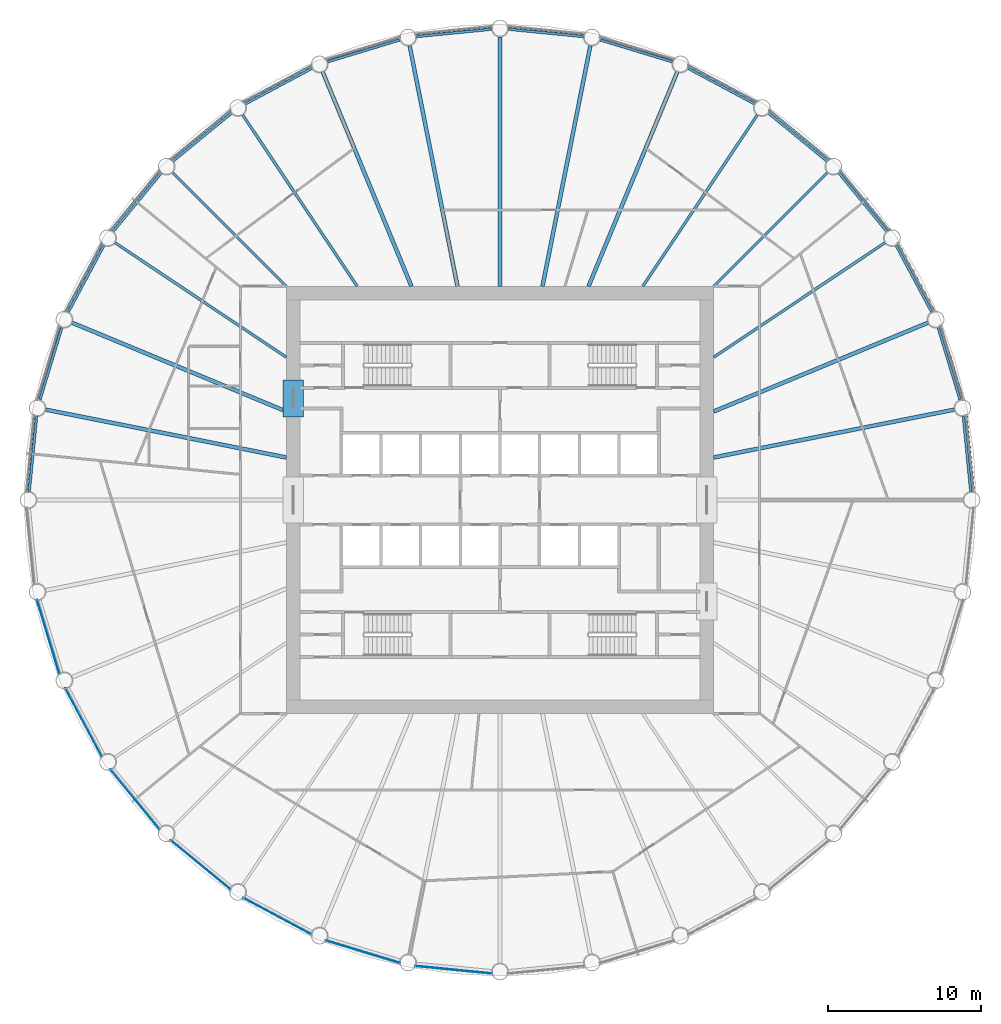
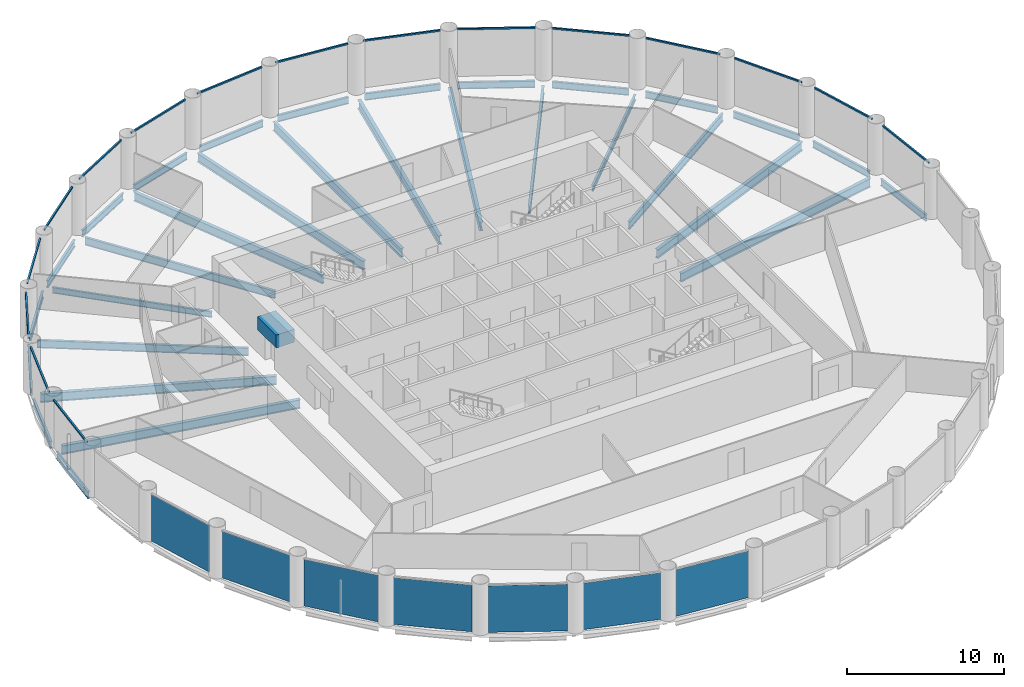
# One storey, part 2 of 9: 32 beams, 16 members, 7 plates, 23 elements without a shape of their own.
"""IFC4 building model written with IfcOpenShell, lengths in metres."""

from ifc_helpers import new_model, si_unit, direction, frame, origin, origin_2d, place, context, subcontext, project, spatial, rectangle, i_section, extrude, material, layer, layer_set, material_profile, profile_set, type_object, element, aggregate, save


model = new_model("IFC4")

# Units and contexts
model_context = context("Model", 3, precision=1e-05, world=origin(), true_north=direction((0.0, 1.0)))
body_context = subcontext(model_context, "Body", "Model", "MODEL_VIEW")
ifc_project = project(units=[si_unit("LENGTHUNIT", "METRE"), si_unit("AREAUNIT", "SQUARE_METRE"), si_unit("VOLUMEUNIT", "CUBIC_METRE"), si_unit("PLANEANGLEUNIT", "RADIAN"), si_unit("MASSUNIT", "GRAM", prefix="KILO")], contexts=[model_context])

# Site, building, storey
site_placement = place(None, origin())
site = spatial("IfcSite", under=ifc_project, at=site_placement, CompositionType="ELEMENT")
building_placement = place(site_placement, origin())
building = spatial("IfcBuilding", under=site, at=building_placement, Name="Corvane Civic Tower", CompositionType="ELEMENT")
storey_placement = place(building_placement, frame((0.0, 0.0, 164.0)))
storey = spatial("IfcBuildingStorey", under=building, at=storey_placement, Name="L38", CompositionType="ELEMENT", Elevation=164.0)

# Beams
ifc_material_1 = material(Name="Concrete C60/75", Category="concrete")
ifc_material_profile_1 = material_profile(ifc_material_1, rectangle(XDim=1.35009765625, YDim=1.0, at=origin_2d()), Name="COUPLING BEAM 1350X1000")
ifc_profile_set_1 = profile_set([ifc_material_profile_1], Name="Concrete C60/75")
beam_type_1 = type_object("IfcBeamType", Name="COUPLING BEAM COUPLING BEAM 1350X1000", PredefinedType="BEAM", material=ifc_profile_set_1)
beam_1_placement = place(storey_placement, frame((-13.550048828125, 5.449951171875, 2.60009765625), z_axis=(0.0, 1.0, 0.0), x_axis=(-1.0, 0.0, 0.0)))
element("IfcBeam", 1, at=beam_1_placement, inside=storey, type_object=beam_type_1, Name="BM-L38-cpl-CW-WN", PredefinedType="BEAM", context=body_context, shape_type="SweptSolid", body=[
    extrude(rectangle(XDim=1.35009765625, YDim=1.0, at=origin_2d()), origin(), (0.0, 0.0, 1.0), 2.400146484375),
])
ifc_material_2 = material(Name="Steel ASTM A992 Gr 50", Category="steel")
ifc_material_profile_2 = material_profile(ifc_material_2, i_section(OverallWidth=0.165771484375, OverallDepth=0.5283203125, WebThickness=0.009765625, FlangeThickness=0.013671875, at=origin_2d()), Name="W21X50")
ifc_profile_set_2 = profile_set([ifc_material_profile_2], Name="Steel ASTM A992 Gr 50")
beam_type_2 = type_object("IfcBeamType", Name="EDGE BEAM W21X50", PredefinedType="BEAM", material=ifc_profile_set_2)
beam_2_placement = place(storey_placement, frame((0.54736328125, 30.845947265625, -0.564208984375), z_axis=(0.995186236294, -0.09800181167, 0.0), x_axis=(0.09800181167, 0.995186236294, 0.0)))
element("IfcBeam", 2, at=beam_2_placement, inside=storey, type_object=beam_type_2, Name="BM-L38-E01", PredefinedType="BEAM", context=body_context, shape_type="SweptSolid", body=[
    extrude(i_section(OverallWidth=0.165771484375, OverallDepth=0.5283203125, WebThickness=0.009765625, FlangeThickness=0.013671875, at=origin_2d()), origin(), (0.0, 0.0, 1.0), 4.95751953125),
])
beam_3_placement = place(storey_placement, frame((6.5546875, 30.146484375, -0.564208984375), z_axis=(0.956944842086, -0.290269821381, 0.0), x_axis=(0.290269821381, 0.956944842086, 0.0)))
element("IfcBeam", 3, at=beam_3_placement, inside=storey, type_object=beam_type_2, Name="BM-L38-E02", PredefinedType="BEAM", context=body_context, shape_type="SweptSolid", body=[
    extrude(i_section(OverallWidth=0.165771484375, OverallDepth=0.5283203125, WebThickness=0.009765625, FlangeThickness=0.013671875, at=origin_2d()), origin(), (0.0, 0.0, 1.0), 4.957275390625),
])
for number, where, z_axis, x_axis, name in (
    (4, (12.31005859375, 28.28857421875, -0.564208984375), (0.881921784846, -0.471395763042, 0.0), (0.471395763042, 0.881921784846, 0.0), "BM-L38-E03"),
    (5, (17.59228515625, 25.343505859375, -0.564208984375), (0.77301516208, -0.634387546532, 0.0), (0.634387546532, 0.77301516208, 0.0), "BM-L38-E04"),
    (6, (22.198486328125, 21.424560546875, -0.564208984375), (0.634387546532, -0.77301516208, 0.0), (0.77301516208, 0.634387546532, 0.0), "BM-L38-E05"),
    (7, (25.95166015625, 16.68212890625, -0.564208984375), (0.471395763042, -0.881921784846, 0.0), (0.881921784846, 0.471395763042, 0.0), "BM-L38-E06"),
):
    element("IfcBeam", number, at=place(storey_placement, frame(where, z_axis=z_axis, x_axis=x_axis)), inside=storey, type_object=beam_type_2, Name=name, PredefinedType="BEAM", context=body_context, shape_type="SweptSolid", body=[
        extrude(i_section(OverallWidth=0.165771484375, OverallDepth=0.5283203125, WebThickness=0.009765625, FlangeThickness=0.013671875, at=origin_2d()), origin(), (0.0, 0.0, 1.0), 4.95751953125),
    ])
beam_4_placement = place(storey_placement, frame((28.70751953125, 11.298583984375, -0.564208984375), z_axis=(0.290269821381, -0.956944842086, 0.0), x_axis=(0.956944842086, 0.290269821381, 0.0)))
element("IfcBeam", 8, at=beam_4_placement, inside=storey, type_object=beam_type_2, Name="BM-L38-E07", PredefinedType="BEAM", context=body_context, shape_type="SweptSolid", body=[
    extrude(i_section(OverallWidth=0.165771484375, OverallDepth=0.5283203125, WebThickness=0.009765625, FlangeThickness=0.013671875, at=origin_2d()), origin(), (0.0, 0.0, 1.0), 4.957275390625),
])
for number, where, z_axis, x_axis, name in (
    (9, (30.360107421875, 5.48095703125, -0.564208984375), (0.09800181167, -0.995186236294, 0.0), (0.995186236294, 0.09800181167, 0.0), "BM-L38-E08"),
    (10, (-30.845947265625, 0.54736328125, -0.564208984375), (0.09800181167, 0.995186236294, 0.0), (-0.995186236294, 0.09800181167, 0.0), "BM-L38-E25"),
):
    element("IfcBeam", number, at=place(storey_placement, frame(where, z_axis=z_axis, x_axis=x_axis)), inside=storey, type_object=beam_type_2, Name=name, PredefinedType="BEAM", context=body_context, shape_type="SweptSolid", body=[
        extrude(i_section(OverallWidth=0.165771484375, OverallDepth=0.5283203125, WebThickness=0.009765625, FlangeThickness=0.013671875, at=origin_2d()), origin(), (0.0, 0.0, 1.0), 4.95751953125),
    ])
beam_5_placement = place(storey_placement, frame((-30.146484375, 6.5546875, -0.564208984375), z_axis=(0.290269821381, 0.956944842086, 0.0), x_axis=(-0.956944842086, 0.290269821381, 0.0)))
element("IfcBeam", 11, at=beam_5_placement, inside=storey, type_object=beam_type_2, Name="BM-L38-E26", PredefinedType="BEAM", context=body_context, shape_type="SweptSolid", body=[
    extrude(i_section(OverallWidth=0.165771484375, OverallDepth=0.5283203125, WebThickness=0.009765625, FlangeThickness=0.013671875, at=origin_2d()), origin(), (0.0, 0.0, 1.0), 4.957275390625),
])
for number, where, z_axis, x_axis, name in (
    (12, (-28.28857421875, 12.31005859375, -0.564208984375), (0.471395763042, 0.881921784846, 0.0), (-0.881921784846, 0.471395763042, 0.0), "BM-L38-E27"),
    (13, (-25.343505859375, 17.59228515625, -0.564208984375), (0.634387546532, 0.77301516208, 0.0), (-0.77301516208, 0.634387546532, 0.0), "BM-L38-E28"),
    (14, (-21.424560546875, 22.198486328125, -0.564208984375), (0.77301516208, 0.634387546532, 0.0), (-0.634387546532, 0.77301516208, 0.0), "BM-L38-E29"),
    (15, (-16.68212890625, 25.95166015625, -0.564208984375), (0.881921784846, 0.471395763042, 0.0), (-0.471395763042, 0.881921784846, 0.0), "BM-L38-E30"),
):
    element("IfcBeam", number, at=place(storey_placement, frame(where, z_axis=z_axis, x_axis=x_axis)), inside=storey, type_object=beam_type_2, Name=name, PredefinedType="BEAM", context=body_context, shape_type="SweptSolid", body=[
        extrude(i_section(OverallWidth=0.165771484375, OverallDepth=0.5283203125, WebThickness=0.009765625, FlangeThickness=0.013671875, at=origin_2d()), origin(), (0.0, 0.0, 1.0), 4.95751953125),
    ])
beam_6_placement = place(storey_placement, frame((-11.298583984375, 28.70751953125, -0.564208984375), z_axis=(0.956944842086, 0.290269821381, 0.0), x_axis=(-0.290269821381, 0.956944842086, 0.0)))
element("IfcBeam", 16, at=beam_6_placement, inside=storey, type_object=beam_type_2, Name="BM-L38-E31", PredefinedType="BEAM", context=body_context, shape_type="SweptSolid", body=[
    extrude(i_section(OverallWidth=0.165771484375, OverallDepth=0.5283203125, WebThickness=0.009765625, FlangeThickness=0.013671875, at=origin_2d()), origin(), (0.0, 0.0, 1.0), 4.957275390625),
])
beam_7_placement = place(storey_placement, frame((-5.48095703125, 30.360107421875, -0.564208984375), z_axis=(0.995186236294, 0.09800181167, 0.0), x_axis=(-0.09800181167, 0.995186236294, 0.0)))
element("IfcBeam", 17, at=beam_7_placement, inside=storey, type_object=beam_type_2, Name="BM-L38-E32", PredefinedType="BEAM", context=body_context, shape_type="SweptSolid", body=[
    extrude(i_section(OverallWidth=0.165771484375, OverallDepth=0.5283203125, WebThickness=0.009765625, FlangeThickness=0.013671875, at=origin_2d()), origin(), (0.0, 0.0, 1.0), 4.95751953125),
])
ifc_material_3 = material(Name="Steel ASTM A992 Gr 50", Category="steel")
ifc_material_profile_3 = material_profile(ifc_material_3, i_section(OverallWidth=0.15283203125, OverallDepth=0.45458984375, WebThickness=0.008056640625, FlangeThickness=0.013427734375, at=origin_2d()), Name="W18X40")
ifc_profile_set_3 = profile_set([ifc_material_profile_3], Name="Steel ASTM A992 Gr 50")
beam_type_3 = type_object("IfcBeamType", Name="FLOOR GIRDER W18X40", PredefinedType="BEAM", material=ifc_profile_set_3)
for number, where, z_axis, x_axis, name in (
    (18, (14.0, 14.0, -0.52734375), (0.707106781187, 0.707106781187, 0.0), (-0.707106781187, 0.707106781187, 0.0), "BM-L38-G05"),
    (19, (-14.0, 14.0, -0.52734375), (-0.707106781187, 0.707106781187, 0.0), (-0.707106781187, -0.707106781187, 0.0), "BM-L38-G29"),
):
    element("IfcBeam", number, at=place(storey_placement, frame(where, z_axis=z_axis, x_axis=x_axis)), inside=storey, type_object=beam_type_3, Name=name, PredefinedType="BEAM", context=body_context, shape_type="SweptSolid", body=[
        extrude(i_section(OverallWidth=0.15283203125, OverallDepth=0.45458984375, WebThickness=0.008056640625, FlangeThickness=0.013427734375, at=origin_2d()), origin(), (0.0, 0.0, 1.0), 10.551025390625),
    ])
ifc_material_4 = material(Name="Steel ASTM A992 Gr 50", Category="steel")
ifc_material_profile_4 = material_profile(ifc_material_4, i_section(OverallWidth=0.177978515625, OverallDepth=0.599365234375, WebThickness=0.010009765625, FlangeThickness=0.012939453125, at=origin_2d()), Name="W24X55")
ifc_profile_set_4 = profile_set([ifc_material_profile_4], Name="Steel ASTM A992 Gr 50")
beam_type_4 = type_object("IfcBeamType", Name="FLOOR GIRDER W24X55", PredefinedType="BEAM", material=ifc_profile_set_4)
for number, where, z_axis, x_axis, name in (
    (20, (9.3544921875, 14.0, -0.599609375), (0.555571323015, 0.83146888399, 0.0), (-0.83146888399, 0.555571323015, 0.0), "BM-L38-G04"),
    (21, (14.0, 9.3544921875, -0.599609375), (0.83146888399, 0.555571323015, 0.0), (-0.555571323015, 0.83146888399, 0.0), "BM-L38-G06"),
    (22, (-14.0, 9.3544921875, -0.599609375), (-0.83146888399, 0.555571323015, 0.0), (-0.555571323015, -0.83146888399, 0.0), "BM-L38-G28"),
    (23, (-9.3544921875, 14.0, -0.599609375), (-0.555571323015, 0.83146888399, 0.0), (-0.83146888399, -0.555571323015, 0.0), "BM-L38-G30"),
):
    element("IfcBeam", number, at=place(storey_placement, frame(where, z_axis=z_axis, x_axis=x_axis)), inside=storey, type_object=beam_type_4, Name=name, PredefinedType="BEAM", context=body_context, shape_type="SweptSolid", body=[
        extrude(i_section(OverallWidth=0.177978515625, OverallDepth=0.599365234375, WebThickness=0.010009765625, FlangeThickness=0.012939453125, at=origin_2d()), origin(), (0.0, 0.0, 1.0), 13.512451171875),
    ])
ifc_material_5 = material(Name="Steel ASTM A992 Gr 50", Category="steel")
ifc_material_profile_5 = material_profile(ifc_material_5, i_section(OverallWidth=0.25390625, OverallDepth=0.67822265625, WebThickness=0.01171875, FlangeThickness=0.016357421875, at=origin_2d()), Name="W27X84")
ifc_profile_set_5 = profile_set([ifc_material_profile_5], Name="Steel ASTM A992 Gr 50")
beam_type_5 = type_object("IfcBeamType", Name="FLOOR GIRDER W27X84", PredefinedType="BEAM", material=ifc_profile_set_5)
beam_8_placement = place(storey_placement, frame((0.0, 14.0, -0.63916015625), z_axis=(0.0, 1.0, 0.0), x_axis=(-1.0, 0.0, 0.0)))
element("IfcBeam", 24, at=beam_8_placement, inside=storey, type_object=beam_type_5, Name="BM-L38-G01", PredefinedType="BEAM", context=body_context, shape_type="SweptSolid", body=[
    extrude(i_section(OverallWidth=0.25390625, OverallDepth=0.67822265625, WebThickness=0.01171875, FlangeThickness=0.016357421875, at=origin_2d()), origin(), (0.0, 0.0, 1.0), 16.35009765625),
])
beam_9_placement = place(storey_placement, frame((2.78466796875, 14.0, -0.63916015625), z_axis=(0.195090912248, 0.980785162999, 0.0), x_axis=(-0.980785162999, 0.195090912248, 0.0)))
element("IfcBeam", 25, at=beam_9_placement, inside=storey, type_object=beam_type_5, Name="BM-L38-G02", PredefinedType="BEAM", context=body_context, shape_type="SweptSolid", body=[
    extrude(i_section(OverallWidth=0.25390625, OverallDepth=0.67822265625, WebThickness=0.01171875, FlangeThickness=0.016357421875, at=origin_2d()), origin(), (0.0, 0.0, 1.0), 16.07568359375),
])
for number, where, z_axis, x_axis, name in (
    (26, (5.799072265625, 14.0, -0.63916015625), (0.38268097323, 0.923880551114, 0.0), (-0.923880551114, 0.38268097323, 0.0), "BM-L38-G03"),
    (27, (14.0, 5.799072265625, -0.63916015625), (0.923880551114, 0.38268097323, 0.0), (-0.38268097323, 0.923880551114, 0.0), "BM-L38-G07"),
):
    element("IfcBeam", number, at=place(storey_placement, frame(where, z_axis=z_axis, x_axis=x_axis)), inside=storey, type_object=beam_type_5, Name=name, PredefinedType="BEAM", context=body_context, shape_type="SweptSolid", body=[
        extrude(i_section(OverallWidth=0.25390625, OverallDepth=0.67822265625, WebThickness=0.01171875, FlangeThickness=0.016357421875, at=origin_2d()), origin(), (0.0, 0.0, 1.0), 15.196533203125),
    ])
for number, where, z_axis, x_axis, name in (
    (28, (14.0, 2.78466796875, -0.63916015625), (0.980785162999, 0.195090912248, 0.0), (-0.195090912248, 0.980785162999, 0.0), "BM-L38-G08"),
    (29, (-14.0, 2.78466796875, -0.63916015625), (-0.980785162999, 0.195090912248, 0.0), (-0.195090912248, -0.980785162999, 0.0), "BM-L38-G26"),
):
    element("IfcBeam", number, at=place(storey_placement, frame(where, z_axis=z_axis, x_axis=x_axis)), inside=storey, type_object=beam_type_5, Name=name, PredefinedType="BEAM", context=body_context, shape_type="SweptSolid", body=[
        extrude(i_section(OverallWidth=0.25390625, OverallDepth=0.67822265625, WebThickness=0.01171875, FlangeThickness=0.016357421875, at=origin_2d()), origin(), (0.0, 0.0, 1.0), 16.07568359375),
    ])
for number, where, z_axis, x_axis, name in (
    (30, (-14.0, 5.799072265625, -0.63916015625), (-0.923880551114, 0.38268097323, 0.0), (-0.38268097323, -0.923880551114, 0.0), "BM-L38-G27"),
    (31, (-5.799072265625, 14.0, -0.63916015625), (-0.38268097323, 0.923880551114, 0.0), (-0.923880551114, -0.38268097323, 0.0), "BM-L38-G31"),
):
    element("IfcBeam", number, at=place(storey_placement, frame(where, z_axis=z_axis, x_axis=x_axis)), inside=storey, type_object=beam_type_5, Name=name, PredefinedType="BEAM", context=body_context, shape_type="SweptSolid", body=[
        extrude(i_section(OverallWidth=0.25390625, OverallDepth=0.67822265625, WebThickness=0.01171875, FlangeThickness=0.016357421875, at=origin_2d()), origin(), (0.0, 0.0, 1.0), 15.196533203125),
    ])
beam_10_placement = place(storey_placement, frame((-2.78466796875, 14.0, -0.63916015625), z_axis=(-0.195090912248, 0.980785162999, 0.0), x_axis=(-0.980785162999, -0.195090912248, 0.0)))
element("IfcBeam", 32, at=beam_10_placement, inside=storey, type_object=beam_type_5, Name="BM-L38-G32", PredefinedType="BEAM", context=body_context, shape_type="SweptSolid", body=[
    extrude(i_section(OverallWidth=0.25390625, OverallDepth=0.67822265625, WebThickness=0.01171875, FlangeThickness=0.016357421875, at=origin_2d()), origin(), (0.0, 0.0, 1.0), 16.07568359375),
])

# Curtain wall, member
ifc_material_6 = material(Name="Anodised aluminium bronze", Category="aluminium")
curtain_wall_type = type_object("IfcCurtainWallType", Name="TOWER CW-T2 STICK CURTAIN WALL", PredefinedType="NOTDEFINED", material=ifc_material_6)
curtain_wall_1_placement = place(storey_placement, origin())
curtain_wall_1 = element("IfcCurtainWall", 33, at=curtain_wall_1_placement, inside=storey, type_object=curtain_wall_type, Name="Curtain wall CW-T2 L38 bay 01", PredefinedType="NOTDEFINED")
ifc_material_7 = material(Name="Anodised aluminium bronze", Category="aluminium")
ifc_material_profile_6 = material_profile(ifc_material_7, rectangle(XDim=0.1201171875, YDim=0.1201171875, at=origin_2d()), Name="TOWER CW-T2 TRANSOM 120x120")
ifc_profile_set_6 = profile_set([ifc_material_profile_6], Name="Anodised aluminium bronze")
member_type = type_object("IfcMemberType", Name="TOWER CW-T2 TRANSOM 120x120", PredefinedType="USERDEFINED", material=ifc_profile_set_6)
member_1_placement = place(storey_placement, frame((0.505126953125, 31.0302734375, 3.68994140625), z_axis=(0.995187423416, -0.097989755963, 0.0), x_axis=(0.097989755963, 0.995187423416, 0.0)))
member_1 = element("IfcMember", 34, at=member_1_placement, type_object=member_type, Name="Transom CW-T2 L38 01.1", ObjectType="TRANSOM", PredefinedType="USERDEFINED", context=body_context, shape_type="SweptSolid", body=[
    extrude(rectangle(XDim=0.1201171875, YDim=0.1201171875, at=origin_2d()), origin(), (0.0, 0.0, 1.0), 5.07763671875),
])
aggregate(curtain_wall_1, [member_1])

curtain_wall_2_placement = place(storey_placement, origin())
curtain_wall_2 = element("IfcCurtainWall", 35, at=curtain_wall_2_placement, inside=storey, type_object=curtain_wall_type, Name="Curtain wall CW-T2 L38 bay 02", PredefinedType="NOTDEFINED")
member_2_placement = place(storey_placement, frame((6.54931640625, 30.33544921875, 3.68994140625), z_axis=(0.956939031389, -0.290288977061, 0.0), x_axis=(0.290288977061, 0.956939031389, 0.0)))
member_2 = element("IfcMember", 36, at=member_2_placement, type_object=member_type, Name="Transom CW-T2 L38 02.1", ObjectType="TRANSOM", PredefinedType="USERDEFINED", context=body_context, shape_type="SweptSolid", body=[
    extrude(rectangle(XDim=0.1201171875, YDim=0.1201171875, at=origin_2d()), origin(), (0.0, 0.0, 1.0), 5.077392578125),
])
aggregate(curtain_wall_2, [member_2])

curtain_wall_3_placement = place(storey_placement, origin())
curtain_wall_3 = element("IfcCurtainWall", 37, at=curtain_wall_3_placement, inside=storey, type_object=curtain_wall_type, Name="Curtain wall CW-T2 L38 bay 03", PredefinedType="NOTDEFINED")
member_3_placement = place(storey_placement, frame((12.341552734375, 28.474853515625, 3.68994140625), z_axis=(0.881921329426, -0.471396615074, 0.0), x_axis=(0.471396615074, 0.881921329426, 0.0)))
member_3 = element("IfcMember", 38, at=member_3_placement, type_object=member_type, Name="Transom CW-T2 L38 03.1", ObjectType="TRANSOM", PredefinedType="USERDEFINED", context=body_context, shape_type="SweptSolid", body=[
    extrude(rectangle(XDim=0.1201171875, YDim=0.1201171875, at=origin_2d()), origin(), (0.0, 0.0, 1.0), 5.07763671875),
])
aggregate(curtain_wall_3, [member_3])

curtain_wall_4_placement = place(storey_placement, origin())
curtain_wall_4 = element("IfcCurtainWall", 39, at=curtain_wall_4_placement, inside=storey, type_object=curtain_wall_type, Name="Curtain wall CW-T2 L38 bay 04", PredefinedType="NOTDEFINED")
member_4_placement = place(storey_placement, frame((17.65966796875, 25.519775390625, 3.68994140625), z_axis=(0.773015929719, -0.634386611146, 0.0), x_axis=(0.634386611146, 0.773015929719, 0.0)))
member_4 = element("IfcMember", 40, at=member_4_placement, type_object=member_type, Name="Transom CW-T2 L38 04.1", ObjectType="TRANSOM", PredefinedType="USERDEFINED", context=body_context, shape_type="SweptSolid", body=[
    extrude(rectangle(XDim=0.1201171875, YDim=0.1201171875, at=origin_2d()), origin(), (0.0, 0.0, 1.0), 5.0771484375),
])
aggregate(curtain_wall_4, [member_4])

curtain_wall_5_placement = place(storey_placement, origin())
curtain_wall_5 = element("IfcCurtainWall", 41, at=curtain_wall_5_placement, inside=storey, type_object=curtain_wall_type, Name="Curtain wall CW-T2 L38 bay 05", PredefinedType="NOTDEFINED")
member_5_placement = place(storey_placement, frame((22.298828125, 21.58447265625, 3.68994140625), z_axis=(0.634386611146, -0.773015929719, 0.0), x_axis=(0.773015929719, 0.634386611146, 0.0)))
member_5 = element("IfcMember", 42, at=member_5_placement, type_object=member_type, Name="Transom CW-T2 L38 05.1", ObjectType="TRANSOM", PredefinedType="USERDEFINED", context=body_context, shape_type="SweptSolid", body=[
    extrude(rectangle(XDim=0.1201171875, YDim=0.1201171875, at=origin_2d()), origin(), (0.0, 0.0, 1.0), 5.0771484375),
])
aggregate(curtain_wall_5, [member_5])

curtain_wall_6_placement = place(storey_placement, origin())
curtain_wall_6 = element("IfcCurtainWall", 43, at=curtain_wall_6_placement, inside=storey, type_object=curtain_wall_type, Name="Curtain wall CW-T2 L38 bay 06", PredefinedType="NOTDEFINED")
member_6_placement = place(storey_placement, frame((26.081298828125, 16.819580078125, 3.68994140625), z_axis=(0.471396615074, -0.881921329426, 0.0), x_axis=(0.881921329426, 0.471396615074, 0.0)))
member_6 = element("IfcMember", 44, at=member_6_placement, type_object=member_type, Name="Transom CW-T2 L38 06.1", ObjectType="TRANSOM", PredefinedType="USERDEFINED", context=body_context, shape_type="SweptSolid", body=[
    extrude(rectangle(XDim=0.1201171875, YDim=0.1201171875, at=origin_2d()), origin(), (0.0, 0.0, 1.0), 5.07763671875),
])
aggregate(curtain_wall_6, [member_6])

curtain_wall_7_placement = place(storey_placement, origin())
curtain_wall_7 = element("IfcCurtainWall", 45, at=curtain_wall_7_placement, inside=storey, type_object=curtain_wall_type, Name="Curtain wall CW-T2 L38 bay 07", PredefinedType="NOTDEFINED")
member_7_placement = place(storey_placement, frame((28.861572265625, 11.407958984375, 3.68994140625), z_axis=(0.290288977061, -0.956939031389, 0.0), x_axis=(0.956939031389, 0.290288977061, 0.0)))
member_7 = element("IfcMember", 46, at=member_7_placement, type_object=member_type, Name="Transom CW-T2 L38 07.1", ObjectType="TRANSOM", PredefinedType="USERDEFINED", context=body_context, shape_type="SweptSolid", body=[
    extrude(rectangle(XDim=0.1201171875, YDim=0.1201171875, at=origin_2d()), origin(), (0.0, 0.0, 1.0), 5.077392578125),
])
aggregate(curtain_wall_7, [member_7])

curtain_wall_8_placement = place(storey_placement, origin())
curtain_wall_8 = element("IfcCurtainWall", 47, at=curtain_wall_8_placement, inside=storey, type_object=curtain_wall_type, Name="Curtain wall CW-T2 L38 bay 08", PredefinedType="NOTDEFINED")
member_8_placement = place(storey_placement, frame((30.53271484375, 5.558349609375, 3.68994140625), z_axis=(0.097989755963, -0.995187423416, 0.0), x_axis=(0.995187423416, 0.097989755963, 0.0)))
member_8 = element("IfcMember", 48, at=member_8_placement, type_object=member_type, Name="Transom CW-T2 L38 08.1", ObjectType="TRANSOM", PredefinedType="USERDEFINED", context=body_context, shape_type="SweptSolid", body=[
    extrude(rectangle(XDim=0.1201171875, YDim=0.1201171875, at=origin_2d()), origin(), (0.0, 0.0, 1.0), 5.07763671875),
])
aggregate(curtain_wall_8, [member_8])

curtain_wall_9_placement = place(storey_placement, origin())
curtain_wall_9 = element("IfcCurtainWall", 49, at=curtain_wall_9_placement, inside=storey, type_object=curtain_wall_type, Name="Curtain wall CW-T2 L38 bay 25", PredefinedType="NOTDEFINED")
member_9_placement = place(storey_placement, frame((-31.0302734375, 0.505126953125, 3.68994140625), z_axis=(0.097989755963, 0.995187423416, 0.0), x_axis=(-0.995187423416, 0.097989755963, 0.0)))
member_9 = element("IfcMember", 50, at=member_9_placement, type_object=member_type, Name="Transom CW-T2 L38 25.1", ObjectType="TRANSOM", PredefinedType="USERDEFINED", context=body_context, shape_type="SweptSolid", body=[
    extrude(rectangle(XDim=0.1201171875, YDim=0.1201171875, at=origin_2d()), origin(), (0.0, 0.0, 1.0), 5.07763671875),
])
aggregate(curtain_wall_9, [member_9])

curtain_wall_10_placement = place(storey_placement, origin())
curtain_wall_10 = element("IfcCurtainWall", 51, at=curtain_wall_10_placement, inside=storey, type_object=curtain_wall_type, Name="Curtain wall CW-T2 L38 bay 26", PredefinedType="NOTDEFINED")
member_10_placement = place(storey_placement, frame((-30.33544921875, 6.54931640625, 3.68994140625), z_axis=(0.290288977061, 0.956939031389, 0.0), x_axis=(-0.956939031389, 0.290288977061, 0.0)))
member_10 = element("IfcMember", 52, at=member_10_placement, type_object=member_type, Name="Transom CW-T2 L38 26.1", ObjectType="TRANSOM", PredefinedType="USERDEFINED", context=body_context, shape_type="SweptSolid", body=[
    extrude(rectangle(XDim=0.1201171875, YDim=0.1201171875, at=origin_2d()), origin(), (0.0, 0.0, 1.0), 5.077392578125),
])
aggregate(curtain_wall_10, [member_10])

curtain_wall_11_placement = place(storey_placement, origin())
curtain_wall_11 = element("IfcCurtainWall", 53, at=curtain_wall_11_placement, inside=storey, type_object=curtain_wall_type, Name="Curtain wall CW-T2 L38 bay 27", PredefinedType="NOTDEFINED")
member_11_placement = place(storey_placement, frame((-28.474853515625, 12.341552734375, 3.68994140625), z_axis=(0.471396615074, 0.881921329426, 0.0), x_axis=(-0.881921329426, 0.471396615074, 0.0)))
member_11 = element("IfcMember", 54, at=member_11_placement, type_object=member_type, Name="Transom CW-T2 L38 27.1", ObjectType="TRANSOM", PredefinedType="USERDEFINED", context=body_context, shape_type="SweptSolid", body=[
    extrude(rectangle(XDim=0.1201171875, YDim=0.1201171875, at=origin_2d()), origin(), (0.0, 0.0, 1.0), 5.07763671875),
])
aggregate(curtain_wall_11, [member_11])

curtain_wall_12_placement = place(storey_placement, origin())
curtain_wall_12 = element("IfcCurtainWall", 55, at=curtain_wall_12_placement, inside=storey, type_object=curtain_wall_type, Name="Curtain wall CW-T2 L38 bay 28", PredefinedType="NOTDEFINED")
member_12_placement = place(storey_placement, frame((-25.519775390625, 17.65966796875, 3.68994140625), z_axis=(0.634386611146, 0.773015929719, 0.0), x_axis=(-0.773015929719, 0.634386611146, 0.0)))
member_12 = element("IfcMember", 56, at=member_12_placement, type_object=member_type, Name="Transom CW-T2 L38 28.1", ObjectType="TRANSOM", PredefinedType="USERDEFINED", context=body_context, shape_type="SweptSolid", body=[
    extrude(rectangle(XDim=0.1201171875, YDim=0.1201171875, at=origin_2d()), origin(), (0.0, 0.0, 1.0), 5.0771484375),
])
aggregate(curtain_wall_12, [member_12])

curtain_wall_13_placement = place(storey_placement, origin())
curtain_wall_13 = element("IfcCurtainWall", 57, at=curtain_wall_13_placement, inside=storey, type_object=curtain_wall_type, Name="Curtain wall CW-T2 L38 bay 29", PredefinedType="NOTDEFINED")
member_13_placement = place(storey_placement, frame((-21.58447265625, 22.298828125, 3.68994140625), z_axis=(0.773015929719, 0.634386611146, 0.0), x_axis=(-0.634386611146, 0.773015929719, 0.0)))
member_13 = element("IfcMember", 58, at=member_13_placement, type_object=member_type, Name="Transom CW-T2 L38 29.1", ObjectType="TRANSOM", PredefinedType="USERDEFINED", context=body_context, shape_type="SweptSolid", body=[
    extrude(rectangle(XDim=0.1201171875, YDim=0.1201171875, at=origin_2d()), origin(), (0.0, 0.0, 1.0), 5.0771484375),
])
aggregate(curtain_wall_13, [member_13])

curtain_wall_14_placement = place(storey_placement, origin())
curtain_wall_14 = element("IfcCurtainWall", 59, at=curtain_wall_14_placement, inside=storey, type_object=curtain_wall_type, Name="Curtain wall CW-T2 L38 bay 30", PredefinedType="NOTDEFINED")
member_14_placement = place(storey_placement, frame((-16.819580078125, 26.081298828125, 3.68994140625), z_axis=(0.881921329426, 0.471396615074, 0.0), x_axis=(-0.471396615074, 0.881921329426, 0.0)))
member_14 = element("IfcMember", 60, at=member_14_placement, type_object=member_type, Name="Transom CW-T2 L38 30.1", ObjectType="TRANSOM", PredefinedType="USERDEFINED", context=body_context, shape_type="SweptSolid", body=[
    extrude(rectangle(XDim=0.1201171875, YDim=0.1201171875, at=origin_2d()), origin(), (0.0, 0.0, 1.0), 5.07763671875),
])
aggregate(curtain_wall_14, [member_14])

curtain_wall_15_placement = place(storey_placement, origin())
curtain_wall_15 = element("IfcCurtainWall", 61, at=curtain_wall_15_placement, inside=storey, type_object=curtain_wall_type, Name="Curtain wall CW-T2 L38 bay 31", PredefinedType="NOTDEFINED")
member_15_placement = place(storey_placement, frame((-11.407958984375, 28.861572265625, 3.68994140625), z_axis=(0.956939031389, 0.290288977061, 0.0), x_axis=(-0.290288977061, 0.956939031389, 0.0)))
member_15 = element("IfcMember", 62, at=member_15_placement, type_object=member_type, Name="Transom CW-T2 L38 31.1", ObjectType="TRANSOM", PredefinedType="USERDEFINED", context=body_context, shape_type="SweptSolid", body=[
    extrude(rectangle(XDim=0.1201171875, YDim=0.1201171875, at=origin_2d()), origin(), (0.0, 0.0, 1.0), 5.077392578125),
])
aggregate(curtain_wall_15, [member_15])

curtain_wall_16_placement = place(storey_placement, origin())
curtain_wall_16 = element("IfcCurtainWall", 63, at=curtain_wall_16_placement, inside=storey, type_object=curtain_wall_type, Name="Curtain wall CW-T2 L38 bay 32", PredefinedType="NOTDEFINED")
member_16_placement = place(storey_placement, frame((-5.558349609375, 30.53271484375, 3.68994140625), z_axis=(0.995187423416, 0.097989755963, 0.0), x_axis=(-0.097989755963, 0.995187423416, 0.0)))
member_16 = element("IfcMember", 64, at=member_16_placement, type_object=member_type, Name="Transom CW-T2 L38 32.1", ObjectType="TRANSOM", PredefinedType="USERDEFINED", context=body_context, shape_type="SweptSolid", body=[
    extrude(rectangle(XDim=0.1201171875, YDim=0.1201171875, at=origin_2d()), origin(), (0.0, 0.0, 1.0), 5.07763671875),
])
aggregate(curtain_wall_16, [member_16])

# Curtain wall, plate
curtain_wall_17_placement = place(storey_placement, origin())
curtain_wall_17 = element("IfcCurtainWall", 65, at=curtain_wall_17_placement, inside=storey, type_object=curtain_wall_type, Name="Curtain wall CW-T2 L38 bay 17", PredefinedType="NOTDEFINED")
ifc_material_8 = material(Name="Tinted glass", Category="glass")
ifc_layer = layer(ifc_material_8, 0.031982421875)
ifc_layer_set = layer_set([ifc_layer], Name="Tinted glass")
plate_type = type_object("IfcPlateType", Name="TOWER CW-T2 PANEL IGU32", PredefinedType="CURTAIN_PANEL", material=ifc_layer_set)
plate_1_placement = place(storey_placement, frame((-3.03173828125, -30.781494140625, 0.0), z_axis=(0.0, 0.0, 1.0), x_axis=(-0.995185244531, 0.098011882274, 0.0)))
plate_1 = element("IfcPlate", 66, at=plate_1_placement, type_object=plate_type, Name="Glass panel CW-T2 L38 17.1", PredefinedType="CURTAIN_PANEL", context=body_context, shape_type="SweptSolid", body=[
    extrude(rectangle(XDim=5.07763671875, YDim=0.031982421875, at=origin_2d()), origin(), (0.0, 0.0, 1.0), 3.6298828125),
])
aggregate(curtain_wall_17, [plate_1])

curtain_wall_18_placement = place(storey_placement, origin())
curtain_wall_18 = element("IfcCurtainWall", 67, at=curtain_wall_18_placement, inside=storey, type_object=curtain_wall_type, Name="Curtain wall CW-T2 L38 bay 18", PredefinedType="NOTDEFINED")
plate_2_placement = place(storey_placement, frame((-8.978515625, -29.5986328125, 0.0), z_axis=(0.0, 0.0, 1.0), x_axis=(-0.956931677007, 0.290313219714, 0.0)))
plate_2 = element("IfcPlate", 68, at=plate_2_placement, type_object=plate_type, Name="Glass panel CW-T2 L38 18.1", PredefinedType="CURTAIN_PANEL", context=body_context, shape_type="SweptSolid", body=[
    extrude(rectangle(XDim=5.077392578125, YDim=0.031982421875, at=origin_2d()), origin(), (0.0, 0.0, 1.0), 3.6298828125),
])
aggregate(curtain_wall_18, [plate_2])

curtain_wall_19_placement = place(storey_placement, origin())
curtain_wall_19 = element("IfcCurtainWall", 69, at=curtain_wall_19_placement, inside=storey, type_object=curtain_wall_type, Name="Curtain wall CW-T2 L38 bay 19", PredefinedType="NOTDEFINED")
plate_3_placement = place(storey_placement, frame((-14.58056640625, -27.278076171875, 0.0), z_axis=(0.0, 0.0, 1.0), x_axis=(-0.881922190434, 0.471395004238, 0.0)))
plate_3 = element("IfcPlate", 70, at=plate_3_placement, type_object=plate_type, Name="Glass panel CW-T2 L38 19.1", PredefinedType="CURTAIN_PANEL", context=body_context, shape_type="SweptSolid", body=[
    extrude(rectangle(XDim=5.077392578125, YDim=0.031982421875, at=origin_2d()), origin(), (0.0, 0.0, 1.0), 3.6298828125),
])
aggregate(curtain_wall_19, [plate_3])

curtain_wall_20_placement = place(storey_placement, origin())
curtain_wall_20 = element("IfcCurtainWall", 71, at=curtain_wall_20_placement, inside=storey, type_object=curtain_wall_type, Name="Curtain wall CW-T2 L38 bay 20", PredefinedType="NOTDEFINED")
plate_4_placement = place(storey_placement, frame((-19.6220703125, -23.909423828125, 0.0), z_axis=(0.0, 0.0, 1.0), x_axis=(-0.773004844196, 0.634400118891, 0.0)))
plate_4 = element("IfcPlate", 72, at=plate_4_placement, type_object=plate_type, Name="Glass panel CW-T2 L38 20.1", PredefinedType="CURTAIN_PANEL", context=body_context, shape_type="SweptSolid", body=[
    extrude(rectangle(XDim=5.0771484375, YDim=0.031982421875, at=origin_2d()), origin(), (0.0, 0.0, 1.0), 3.6298828125),
])
aggregate(curtain_wall_20, [plate_4])

curtain_wall_21_placement = place(storey_placement, origin())
curtain_wall_21 = element("IfcCurtainWall", 73, at=curtain_wall_21_placement, inside=storey, type_object=curtain_wall_type, Name="Curtain wall CW-T2 L38 bay 21", PredefinedType="NOTDEFINED")
plate_5_placement = place(storey_placement, frame((-23.909423828125, -19.6220703125, 0.0), z_axis=(0.0, 0.0, 1.0), x_axis=(-0.634400118891, 0.773004844196, 0.0)))
plate_5 = element("IfcPlate", 74, at=plate_5_placement, type_object=plate_type, Name="Glass panel CW-T2 L38 21.1", PredefinedType="CURTAIN_PANEL", context=body_context, shape_type="SweptSolid", body=[
    extrude(rectangle(XDim=5.0771484375, YDim=0.031982421875, at=origin_2d()), origin(), (0.0, 0.0, 1.0), 3.6298828125),
])
aggregate(curtain_wall_21, [plate_5])

curtain_wall_22_placement = place(storey_placement, origin())
curtain_wall_22 = element("IfcCurtainWall", 75, at=curtain_wall_22_placement, inside=storey, type_object=curtain_wall_type, Name="Curtain wall CW-T2 L38 bay 22", PredefinedType="NOTDEFINED")
plate_6_placement = place(storey_placement, frame((-27.278076171875, -14.58056640625, 0.0), z_axis=(0.0, 0.0, 1.0), x_axis=(-0.471395004238, 0.881922190434, 0.0)))
plate_6 = element("IfcPlate", 76, at=plate_6_placement, type_object=plate_type, Name="Glass panel CW-T2 L38 22.1", PredefinedType="CURTAIN_PANEL", context=body_context, shape_type="SweptSolid", body=[
    extrude(rectangle(XDim=5.077392578125, YDim=0.031982421875, at=origin_2d()), origin(), (0.0, 0.0, 1.0), 3.6298828125),
])
aggregate(curtain_wall_22, [plate_6])

curtain_wall_23_placement = place(storey_placement, origin())
curtain_wall_23 = element("IfcCurtainWall", 77, at=curtain_wall_23_placement, inside=storey, type_object=curtain_wall_type, Name="Curtain wall CW-T2 L38 bay 23", PredefinedType="NOTDEFINED")
plate_7_placement = place(storey_placement, frame((-29.5986328125, -8.978515625, 0.0), z_axis=(0.0, 0.0, 1.0), x_axis=(-0.290313219714, 0.956931677007, 0.0)))
plate_7 = element("IfcPlate", 78, at=plate_7_placement, type_object=plate_type, Name="Glass panel CW-T2 L38 23.1", PredefinedType="CURTAIN_PANEL", context=body_context, shape_type="SweptSolid", body=[
    extrude(rectangle(XDim=5.077392578125, YDim=0.031982421875, at=origin_2d()), origin(), (0.0, 0.0, 1.0), 3.6298828125),
])
aggregate(curtain_wall_23, [plate_7])

save(model, "model.ifc")
